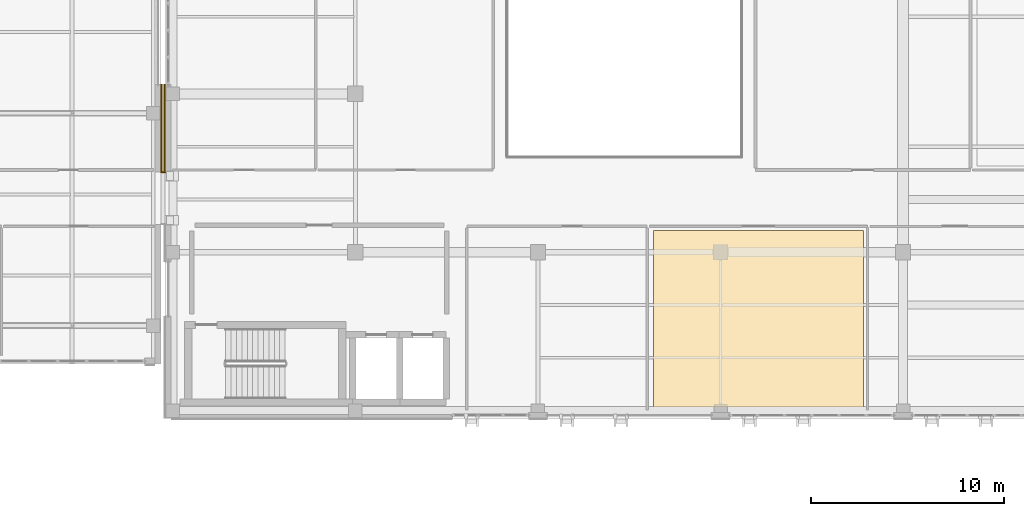
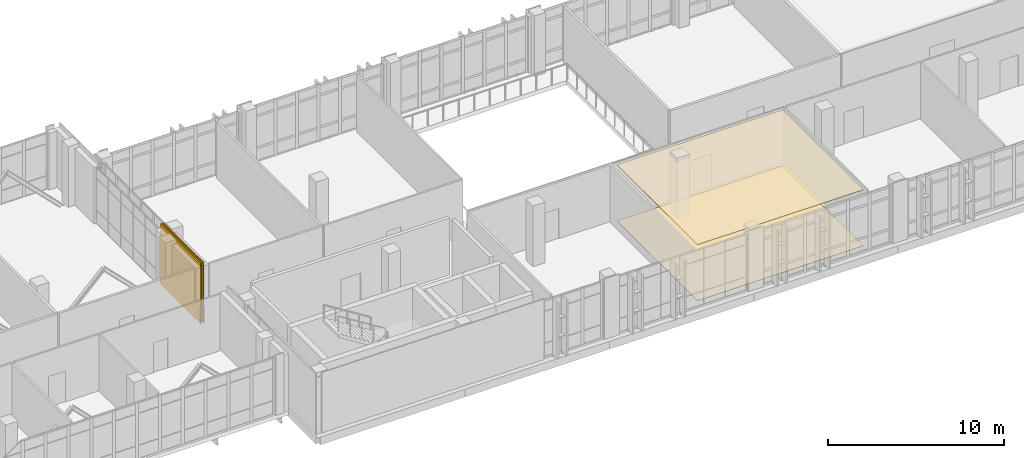
# One storey, part 174 of 193: 4 coverings, 1 railing.
"""IFC4 building model written with IfcOpenShell, lengths in metres."""

from ifc_helpers import new_model, si_unit, direction, frame, origin, origin_2d, place, context, subcontext, project, spatial, polyline, rectangle, circle, outline, extrude, material, layer, layer_set, type_object, element, save


model = new_model("IFC4")

# Units and contexts
model_context = context("Model", 3, precision=1e-05, world=origin(), true_north=direction((0.0, 1.0)))
body_context = subcontext(model_context, "Body", "Model", "MODEL_VIEW")
ifc_project = project(units=[si_unit("LENGTHUNIT", "METRE"), si_unit("AREAUNIT", "SQUARE_METRE"), si_unit("VOLUMEUNIT", "CUBIC_METRE"), si_unit("PLANEANGLEUNIT", "RADIAN"), si_unit("MASSUNIT", "GRAM", prefix="KILO")], contexts=[model_context])

# Site, building, storey
site_placement = place(None, origin())
site = spatial("IfcSite", under=ifc_project, at=site_placement, CompositionType="ELEMENT")
building_placement = place(site_placement, origin())
building = spatial("IfcBuilding", under=site, at=building_placement, Name="Qalavern Law Courts", CompositionType="ELEMENT")
storey_placement = place(building_placement, frame((0.0, 0.0, 10.199951171875)))
storey = spatial("IfcBuildingStorey", under=building, at=storey_placement, Name="L02", CompositionType="ELEMENT", Elevation=10.199951171875)

# Railing
ifc_material_1 = material(Name="Steel S355", Category="steel")
railing_type = type_object("IfcRailingType", Name="ENV-BAL-1120", PredefinedType="BALUSTRADE", material=ifc_material_1)
railing_placement = place(storey_placement, frame((34.0, 17.93994140625, 0.0)))
element("IfcRailing", 1, at=railing_placement, inside=storey, type_object=railing_type, Name="Bridge BR-V1-V2 joint guard L02-2", PredefinedType="BALUSTRADE", context=body_context, shape_type="SweptSolid", body=[
    extrude(circle(Radius=0.02392578125, at=origin_2d()), frame((0.0, 0.0, 1.09619140625), z_axis=(1.0, 0.0, 0.0), x_axis=(0.0, 1.0, 0.0)), (0.0, 0.0, 1.0), 0.219970703125),
    extrude(circle(Radius=0.02099609375, at=origin_2d()), origin(), (0.0, 0.0, 1.0), 1.072021484375),
    extrude(circle(Radius=0.02099609375, at=origin_2d()), frame((0.219970703125, 0.0, 0.0)), (0.0, 0.0, 1.0), 1.072021484375),
])

# Coverings
ifc_material_2 = material(Name="Precast concrete C40/50", Category="concrete")
ifc_layer_1 = layer(ifc_material_2, 0.072021484375)
ifc_layer_set_1 = layer_set([ifc_layer_1], Name="Precast concrete C40/50")
covering_type_1 = type_object("IfcCoveringType", Name="ENV-CLD-2", PredefinedType="CLADDING", material=ifc_layer_set_1)
for number, where, z_axis, x_axis, name in (
    (2, (34.032958984375, 20.22509765625, 0.01025390625), (0.0, 0.0, 1.0), (0.0, 1.0, 0.0), "V1 Absheron limestone pier facing L02 east 1"),
    (3, (34.18701171875, 20.22509765625, 0.01025390625), (0.0, 0.0, 1.0), (0.0, -1.0, 0.0), "V2 Absheron limestone pier facing L02 west 2"),
):
    element("IfcCovering", number, at=place(storey_placement, frame(where, z_axis=z_axis, x_axis=x_axis)), inside=storey, type_object=covering_type_1, Name=name, PredefinedType="CLADDING", context=body_context, shape_type="SweptSolid", body=[
        extrude(rectangle(XDim=4.530029296875, YDim=0.072021484375, at=origin_2d()), origin(), (0.0, 0.0, 1.0), 4.179931640625),
    ])
ifc_material_3 = material(Name="Perforated gypsum and mineral-wool acoustic ceiling")
ifc_layer_2 = layer(ifc_material_3, 0.0458984375)
ifc_layer_set_2 = layer_set([ifc_layer_2], Name="Perforated gypsum and mineral-wool acoustic ceiling")
covering_type_2 = type_object("IfcCoveringType", Name="INT-CEIL-2", PredefinedType="CEILING", material=ifc_layer_set_2)
covering_1_placement = place(storey_placement, frame((0.0, 0.0, 3.869140625)))
element("IfcCovering", 4, at=covering_1_placement, inside=storey, type_object=covering_type_2, Name="Civil Trial Courtroom acoustic ceiling L02", PredefinedType="CEILING", context=body_context, shape_type="SweptSolid", body=[
    extrude(outline(polyline([(59.51708984375, 5.7900390625), (70.385986328125, 5.7900390625), (70.385986328125, 14.929931640625), (59.51708984375, 14.929931640625), (59.51708984375, 5.7900390625)])), origin(), (0.0, 0.0, 1.0), 0.0458984375),
])
ifc_material_4 = material(Name="Polished Absheron stone terrazzo flooring", Category="masonry")
ifc_layer_3 = layer(ifc_material_4, 0.030029296875)
ifc_layer_set_3 = layer_set([ifc_layer_3], Name="Polished Absheron stone terrazzo flooring")
covering_type_3 = type_object("IfcCoveringType", Name="INT-FLR-2", PredefinedType="FLOORING", material=ifc_layer_set_3)
covering_2_placement = place(storey_placement, origin())
element("IfcCovering", 5, at=covering_2_placement, inside=storey, type_object=covering_type_3, Name="Civil Trial Courtroom finish flooring L02", PredefinedType="FLOORING", context=body_context, shape_type="SweptSolid", body=[
    extrude(outline(polyline([(59.51708984375, 5.7900390625), (70.385986328125, 5.7900390625), (70.385986328125, 14.929931640625), (59.51708984375, 14.929931640625), (59.51708984375, 5.7900390625)])), origin(), (0.0, 0.0, 1.0), 0.030029296875),
])

save(model, "model.ifc")
